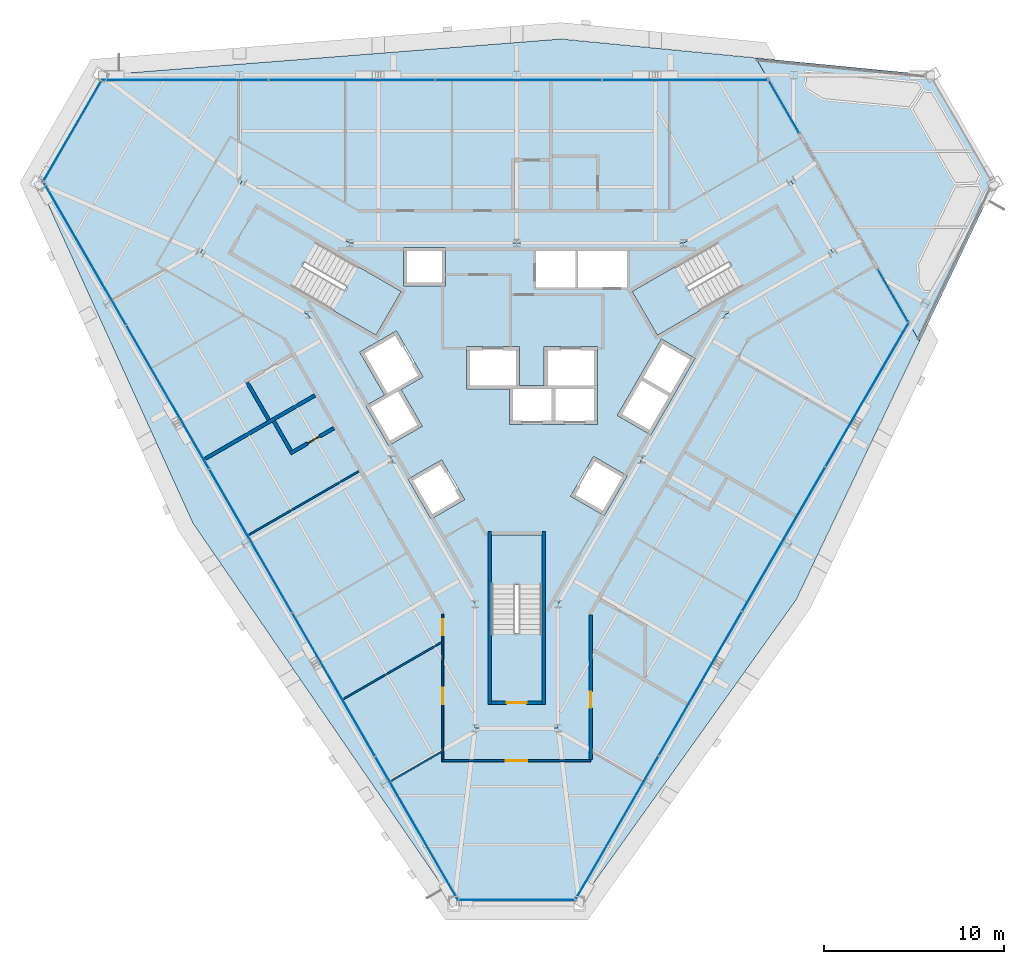
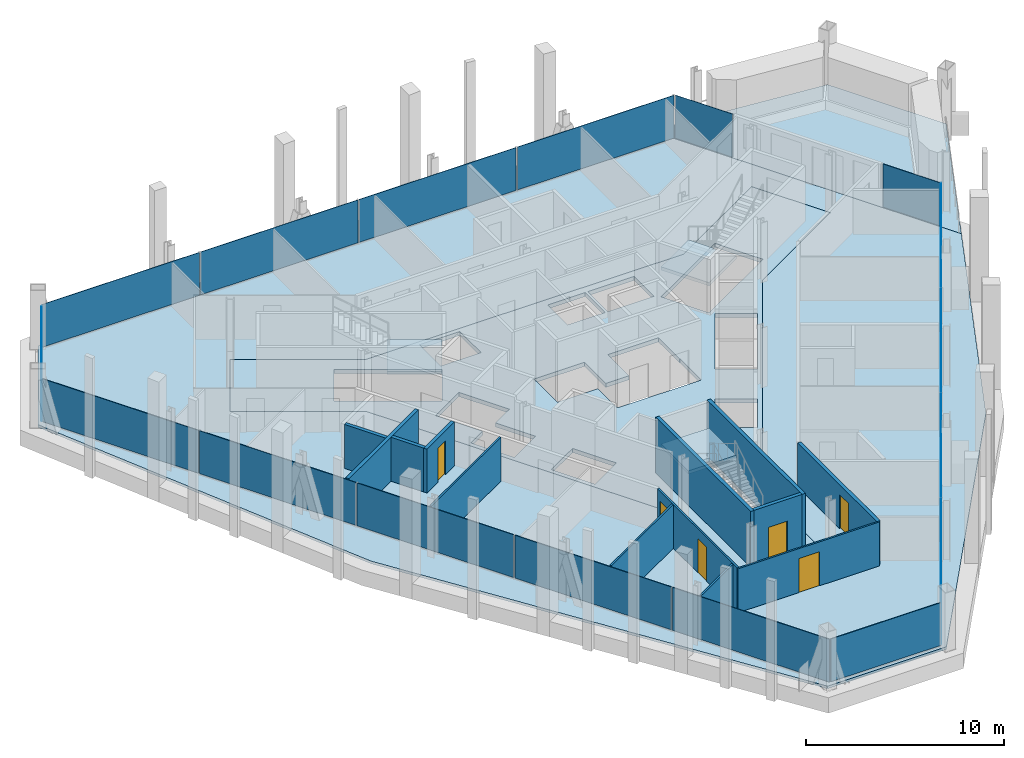
# One storey, part 7 of 13: 17 plates, 13 walls, 6 doors, 6 slabs, 6 openings, 10 elements without a shape of their own.
"""IFC4 building model written with IfcOpenShell, lengths in metres."""

from ifc_helpers import new_model, si_unit, direction, frame, frame_2d, origin, origin_2d, place, context, subcontext, project, spatial, polyline, rectangle, outline, extrude, material, layer, layer_set, type_object, element, fill, aggregate, save


model = new_model("IFC4")

# Units and contexts
model_context = context("Model", 3, precision=1e-05, world=origin(), true_north=direction((0.0, 1.0)))
body_context = subcontext(model_context, "Body", "Model", "MODEL_VIEW")
ifc_project = project(units=[si_unit("LENGTHUNIT", "METRE"), si_unit("AREAUNIT", "SQUARE_METRE"), si_unit("VOLUMEUNIT", "CUBIC_METRE"), si_unit("PLANEANGLEUNIT", "RADIAN"), si_unit("MASSUNIT", "GRAM", prefix="KILO")], contexts=[model_context])

# Site, building, storey
site_placement = place(None, origin())
site = spatial("IfcSite", under=ifc_project, at=site_placement, CompositionType="ELEMENT")
building_placement = place(site_placement, origin())
building = spatial("IfcBuilding", under=site, at=building_placement, Name="Verrane Prism Tower", CompositionType="ELEMENT")
storey_placement = place(building_placement, frame((0.0, 0.0, 171.0)))
storey = spatial("IfcBuildingStorey", under=building, at=storey_placement, Name="L42", CompositionType="ELEMENT", Elevation=171.0)

# Slabs
ifc_material_1 = material(Name="Concrete C35/45", Category="concrete")
ifc_layer_1 = layer(ifc_material_1, 0.159912109375)
ifc_layer_set_1 = layer_set([ifc_layer_1], Name="Composite floor slab")
slab_type_1 = type_object("IfcSlabType", Name="Composite floor slab", PredefinedType="FLOOR", material=ifc_layer_set_1)
slab_1_placement = place(storey_placement, frame((0.0, 0.0, -0.159912109375)))
element("IfcSlab", 1, at=slab_1_placement, inside=storey, type_object=slab_type_1, Name="Floor slab L42", PredefinedType="FLOOR", context=body_context, shape_type="SweptSolid", body=[
    extrude(outline(polyline([(15.49365234375, -11.7841796875), (3.467041015625, -28.614990234375), (-3.467041015625, -28.614990234375), (-17.9521484375, -7.52587890625), (-26.514892578125, 11.304931640625), (-23.0478515625, 17.31005859375), (2.45849609375, 19.31005859375), (13.261474609375, 18.260498046875), (22.333984375, 2.54638671875), (15.49365234375, -11.7841796875)]), holes=[polyline([(17.52001953125, 7.4599609375), (15.219970703125, 11.43994140625), (9.260009765625, 8.0), (0.0, 8.0), (-9.260009765625, 8.0), (-15.219970703125, 11.43994140625), (-17.52001953125, 7.4599609375), (-11.56005859375, 4.02001953125), (-6.929931640625, -4.0), (-2.300048828125, -12.02001953125), (-2.300048828125, -18.89990234375), (2.300048828125, -18.89990234375), (2.300048828125, -12.02001953125), (6.929931640625, -4.0), (11.56005859375, 4.02001953125), (17.52001953125, 7.4599609375)])]), origin(), (0.0, 0.0, 1.0), 0.159912109375),
])
ifc_material_2 = material(Name="Concrete C40/50", Category="concrete")
ifc_layer_2 = layer(ifc_material_2, 0.25)
ifc_layer_set_2 = layer_set([ifc_layer_2], Name="Core floor slab 250 concrete C40/50")
slab_type_2 = type_object("IfcSlabType", Name="Core floor slab 250 concrete C40/50", PredefinedType="FLOOR", material=ifc_layer_set_2)
slab_2_placement = place(storey_placement, frame((0.0, 0.0, -0.25)))
element("IfcSlab", 2, at=slab_2_placement, inside=storey, type_object=slab_type_2, Name="Core floor L42", PredefinedType="FLOOR", context=body_context, shape_type="SweptSolid", body=[
    extrude(outline(polyline([(11.56005859375, 4.02001953125), (17.52001953125, 7.4599609375), (15.219970703125, 11.43994140625), (9.260009765625, 8.0), (0.0, 8.0), (-9.260009765625, 8.0), (-15.219970703125, 11.43994140625), (-17.52001953125, 7.4599609375), (-11.56005859375, 4.02001953125), (-6.929931640625, -4.0), (-2.300048828125, -12.02001953125), (-2.300048828125, -18.89990234375), (2.300048828125, -18.89990234375), (2.300048828125, -12.02001953125), (6.929931640625, -4.0), (11.56005859375, 4.02001953125)]), holes=[polyline([(1.39990234375, -8.199951171875), (1.39990234375, -13.639892578125), (-1.39990234375, -13.639892578125), (-1.39990234375, -8.199951171875), (1.39990234375, -8.199951171875)]), polyline([(-2.881103515625, -6.22998046875), (-4.742919921875, -7.304931640625), (-6.01806640625, -5.096923828125), (-4.156005859375, -4.02197265625), (-2.881103515625, -6.22998046875)]), polyline([(-7.801025390625, 2.887939453125), (-12.512939453125, 5.60791015625), (-11.113037109375, 8.031982421875), (-6.40087890625, 5.31201171875), (-7.801025390625, 2.887939453125)]), polyline([(-6.284912109375, 5.610107421875), (-6.284912109375, 7.760009765625), (-3.93505859375, 7.760009765625), (-3.93505859375, 5.610107421875), (-6.284912109375, 5.610107421875)]), polyline([(4.26611328125, -3.8310546875), (6.1279296875, -4.906005859375), (4.85302734375, -7.114990234375), (2.990966796875, -6.0400390625), (4.26611328125, -3.8310546875)]), polyline([(7.43798828125, -2.636962890625), (5.575927734375, -1.56201171875), (8.02587890625, 2.680908203125), (9.887939453125, 1.60595703125), (7.43798828125, -2.636962890625)]), polyline([(0.1650390625, 0.10009765625), (1.52490234375, 0.10009765625), (1.52490234375, 2.25), (4.47509765625, 2.25), (4.47509765625, 0.10009765625), (4.4951171875, 0.10009765625), (4.4951171875, -2.050048828125), (-0.405029296875, -2.050048828125), (-0.405029296875, -0.10009765625), (-2.784912109375, -0.10009765625), (-2.784912109375, 2.25), (0.1650390625, 2.25), (0.1650390625, 0.10009765625)]), polyline([(6.40087890625, 5.31201171875), (11.113037109375, 8.031982421875), (12.512939453125, 5.60791015625), (7.801025390625, 2.887939453125), (6.40087890625, 5.31201171875)]), polyline([(1.074951171875, 5.534912109375), (1.074951171875, 7.56005859375), (3.264892578125, 7.56005859375), (3.264892578125, 5.534912109375), (1.074951171875, 5.534912109375)]), polyline([(3.4150390625, 7.56005859375), (6.125, 7.56005859375), (6.125, 5.534912109375), (3.4150390625, 5.534912109375), (3.4150390625, 7.56005859375)]), polyline([(-5.23095703125, -2.159912109375), (-7.093017578125, -3.235107421875), (-8.367919921875, -1.02587890625), (-7.3291015625, -0.426025390625), (-8.7041015625, 1.955078125), (-6.66796875, 3.1298828125), (-5.193115234375, 0.574951171875), (-6.406005859375, -0.125), (-5.23095703125, -2.159912109375)])]), origin(), (0.0, 0.0, 1.0), 0.25),
])
ifc_material_3 = material(Name="Concrete C35/45", Category="concrete")
ifc_layer_3 = layer(ifc_material_3, 0.159912109375)
ifc_layer_set_3 = layer_set([ifc_layer_3], Name="Garden floor slab")
slab_type_3 = type_object("IfcSlabType", Name="Garden floor slab", PredefinedType="FLOOR", material=ifc_layer_set_3)
slab_3_placement = place(storey_placement, frame((0.0, 0.0, -0.159912109375)))
element("IfcSlab", 3, at=slab_3_placement, inside=storey, type_object=slab_type_3, Name="Garden floor slab L42", PredefinedType="FLOOR", context=body_context, shape_type="SweptSolid", body=[
    extrude(outline(polyline([(13.261474609375, 18.260498046875), (22.333984375, 2.54638671875), (26.514892578125, 11.304931640625), (23.0478515625, 17.31005859375), (13.261474609375, 18.260498046875)])), origin(), (0.0, 0.0, 1.0), 0.159912109375),
])

# Curtain wall, plate
ifc_material_4 = material(Name="Aluminium framed insulated glazing", Category="aluminium")
curtain_wall_type_1 = type_object("IfcCurtainWallType", Name="Curtain wall CW-C 4200 module", PredefinedType="NOTDEFINED", material=ifc_material_4)
curtain_wall_1_placement = place(storey_placement, origin())
curtain_wall_1 = element("IfcCurtainWall", 4, at=curtain_wall_1_placement, inside=storey, type_object=curtain_wall_type_1, Name="Glazed curtain wall garden cut line L42 1", PredefinedType="NOTDEFINED")
ifc_material_5 = material(Name="Low-iron insulating glass unit", Category="glass")
ifc_layer_4 = layer(ifc_material_5, 0.02392578125)
ifc_layer_set_4 = layer_set([ifc_layer_4], Name="Glazing panel IGU 24")
plate_type_1 = type_object("IfcPlateType", Name="Glazing panel IGU 24", PredefinedType="CURTAIN_PANEL", material=ifc_layer_set_4)
plate_1_placement = place(storey_placement, frame((20.87646484375, 5.07080078125, 0.0498046875), z_axis=(0.0, 0.0, 1.0), x_axis=(-0.499998086456, 0.866026508567, 0.0)))
plate_1 = element("IfcPlate", 5, at=plate_1_placement, type_object=plate_type_1, Name="CW42.1.1 panel 1", PredefinedType="CURTAIN_PANEL", context=body_context, shape_type="SweptSolid", body=[
    extrude(rectangle(XDim=3.33349609375, YDim=0.02392578125, at=origin_2d()), origin(), (0.0, 0.0, 1.0), 2.662841796875),
])
aggregate(curtain_wall_1, [plate_1])

curtain_wall_2_placement = place(storey_placement, origin())
curtain_wall_2 = element("IfcCurtainWall", 6, at=curtain_wall_2_placement, inside=storey, type_object=curtain_wall_type_1, Name="Glazed curtain wall garden cut line L42 2", PredefinedType="NOTDEFINED")
plate_2_placement = place(storey_placement, frame((14.817138671875, 15.56591796875, 0.0498046875), z_axis=(0.0, 0.0, 1.0), x_axis=(-0.499998086456, 0.866026508567, 0.0)))
plate_2 = element("IfcPlate", 7, at=plate_2_placement, type_object=plate_type_1, Name="CW42.1.2 panel 1", PredefinedType="CURTAIN_PANEL", context=body_context, shape_type="SweptSolid", body=[
    extrude(rectangle(XDim=3.383544921875, YDim=0.02392578125, at=origin_2d()), origin(), (0.0, 0.0, 1.0), 2.662841796875),
])
aggregate(curtain_wall_2, [plate_2])

# Curtain wall, plates
ifc_material_6 = material(Name="Aluminium framed insulated glazing", Category="aluminium")
curtain_wall_type_2 = type_object("IfcCurtainWallType", Name="Curtain wall CW-A 8400 module", PredefinedType="NOTDEFINED", material=ifc_material_6)
curtain_wall_3_placement = place(storey_placement, origin())
curtain_wall_3 = element("IfcCurtainWall", 8, at=curtain_wall_3_placement, inside=storey, type_object=curtain_wall_type_2, Name="Glazed curtain wall north face L42", PredefinedType="NOTDEFINED")
ifc_material_7 = material(Name="Low-iron insulating glass unit", Category="glass")
ifc_layer_5 = layer(ifc_material_7, 0.031982421875)
ifc_layer_set_5 = layer_set([ifc_layer_5], Name="Glazing panel IGU 32")
plate_type_2 = type_object("IfcPlateType", Name="Glazing panel IGU 32", PredefinedType="CURTAIN_PANEL", material=ifc_layer_set_5)
plate_3_placement = place(storey_placement, frame((9.331787109375, 17.031005859375, 0.06982421875), z_axis=(0.0, 0.0, 1.0), x_axis=(-1.0, 0.0, 0.0)))
plate_3 = element("IfcPlate", 9, at=plate_3_placement, type_object=plate_type_2, Name="CW42.2 panel 1", PredefinedType="CURTAIN_PANEL", context=body_context, shape_type="SweptSolid", body=[
    extrude(rectangle(XDim=9.138916015625, YDim=0.031982421875, at=origin_2d()), origin(), (0.0, 0.0, 1.0), 2.642822265625),
])
plate_4_placement = place(storey_placement, frame((0.10546875, 17.031005859375, 0.06982421875), z_axis=(0.0, 0.0, 1.0), x_axis=(-1.0, 0.0, 0.0)))
plate_4 = element("IfcPlate", 10, at=plate_4_placement, type_object=plate_type_2, Name="CW42.2 panel 2", PredefinedType="CURTAIN_PANEL", context=body_context, shape_type="SweptSolid", body=[
    extrude(rectangle(XDim=9.173828125, YDim=0.031982421875, at=origin_2d()), origin(), (0.0, 0.0, 1.0), 2.642822265625),
])
plate_5_placement = place(storey_placement, frame((-9.13818359375, 17.031005859375, 0.06982421875), z_axis=(0.0, 0.0, 1.0), x_axis=(-1.0, 0.0, 0.0)))
plate_5 = element("IfcPlate", 11, at=plate_5_placement, type_object=plate_type_2, Name="CW42.2 panel 3", PredefinedType="CURTAIN_PANEL", context=body_context, shape_type="SweptSolid", body=[
    extrude(rectangle(XDim=9.173828125, YDim=0.031982421875, at=origin_2d()), origin(), (0.0, 0.0, 1.0), 2.642822265625),
])
plate_6_placement = place(storey_placement, frame((-18.399658203125, 17.031005859375, 0.06982421875), z_axis=(0.0, 0.0, 1.0), x_axis=(-1.0, 0.0, 0.0)))
plate_6 = element("IfcPlate", 12, at=plate_6_placement, type_object=plate_type_2, Name="CW42.2 panel 4", PredefinedType="CURTAIN_PANEL", context=body_context, shape_type="SweptSolid", body=[
    extrude(rectangle(XDim=9.208740234375, YDim=0.031982421875, at=origin_2d()), origin(), (0.0, 0.0, 1.0), 2.642822265625),
])
aggregate(curtain_wall_3, [plate_3, plate_4, plate_5, plate_6])

# Curtain wall, plate
curtain_wall_4_placement = place(storey_placement, origin())
curtain_wall_4 = element("IfcCurtainWall", 13, at=curtain_wall_4_placement, inside=storey, type_object=curtain_wall_type_2, Name="Glazed curtain wall north-west corner L42", PredefinedType="NOTDEFINED")
plate_7_placement = place(storey_placement, frame((-24.645263671875, 14.1884765625, 0.06982421875), z_axis=(0.0, 0.0, 1.0), x_axis=(-0.50000590643, -0.866021993679, 0.0)))
plate_7 = element("IfcPlate", 14, at=plate_7_placement, type_object=plate_type_2, Name="CW42.3 panel 1", PredefinedType="CURTAIN_PANEL", context=body_context, shape_type="SweptSolid", body=[
    extrude(rectangle(XDim=6.424560546875, YDim=0.031982421875, at=origin_2d()), origin(), (0.0, 0.0, 1.0), 2.642822265625),
])
aggregate(curtain_wall_4, [plate_7])

# Curtain wall, plates
curtain_wall_5_placement = place(storey_placement, origin())
curtain_wall_5 = element("IfcCurtainWall", 15, at=curtain_wall_5_placement, inside=storey, type_object=curtain_wall_type_2, Name="Glazed curtain wall south-west face L42", PredefinedType="NOTDEFINED")
plate_8_placement = place(storey_placement, frame((-23.942138671875, 7.406982421875, 0.06982421875), z_axis=(0.0, 0.0, 1.0), x_axis=(0.499999028499, -0.86602596468, 0.0)))
plate_8 = element("IfcPlate", 16, at=plate_8_placement, type_object=plate_type_2, Name="CW42.4 panel 1", PredefinedType="CURTAIN_PANEL", context=body_context, shape_type="SweptSolid", body=[
    extrude(rectangle(XDim=9.0966796875, YDim=0.031982421875, at=origin_2d()), origin(), (0.0, 0.0, 1.0), 2.642822265625),
])
plate_9_placement = place(storey_placement, frame((-19.35009765625, -0.546630859375, 0.06982421875), z_axis=(0.0, 0.0, 1.0), x_axis=(0.499999028499, -0.86602596468, 0.0)))
plate_9 = element("IfcPlate", 17, at=plate_9_placement, type_object=plate_type_2, Name="CW42.4 panel 2", PredefinedType="CURTAIN_PANEL", context=body_context, shape_type="SweptSolid", body=[
    extrude(rectangle(XDim=9.131591796875, YDim=0.031982421875, at=origin_2d()), origin(), (0.0, 0.0, 1.0), 2.642822265625),
])
plate_10_placement = place(storey_placement, frame((-14.749267578125, -8.515380859375, 0.06982421875), z_axis=(0.0, 0.0, 1.0), x_axis=(0.499999028499, -0.86602596468, 0.0)))
plate_10 = element("IfcPlate", 18, at=plate_10_placement, type_object=plate_type_2, Name="CW42.4 panel 3", PredefinedType="CURTAIN_PANEL", context=body_context, shape_type="SweptSolid", body=[
    extrude(rectangle(XDim=9.131591796875, YDim=0.031982421875, at=origin_2d()), origin(), (0.0, 0.0, 1.0), 2.642822265625),
])
plate_11_placement = place(storey_placement, frame((-10.1484375, -16.484375, 0.06982421875), z_axis=(0.0, 0.0, 1.0), x_axis=(0.499999028499, -0.86602596468, 0.0)))
plate_11 = element("IfcPlate", 19, at=plate_11_placement, type_object=plate_type_2, Name="CW42.4 panel 4", PredefinedType="CURTAIN_PANEL", context=body_context, shape_type="SweptSolid", body=[
    extrude(rectangle(XDim=9.131591796875, YDim=0.031982421875, at=origin_2d()), origin(), (0.0, 0.0, 1.0), 2.642822265625),
])
plate_12_placement = place(storey_placement, frame((-5.5390625, -24.46826171875, 0.06982421875), z_axis=(0.0, 0.0, 1.0), x_axis=(0.499999028499, -0.86602596468, 0.0)))
plate_12 = element("IfcPlate", 20, at=plate_12_placement, type_object=plate_type_2, Name="CW42.4 panel 5", PredefinedType="CURTAIN_PANEL", context=body_context, shape_type="SweptSolid", body=[
    extrude(rectangle(XDim=9.16650390625, YDim=0.031982421875, at=origin_2d()), origin(), (0.0, 0.0, 1.0), 2.642822265625),
])
aggregate(curtain_wall_5, [plate_8, plate_9, plate_10, plate_11, plate_12])

# Curtain wall, plate
curtain_wall_6_placement = place(storey_placement, origin())
curtain_wall_6 = element("IfcCurtainWall", 21, at=curtain_wall_6_placement, inside=storey, type_object=curtain_wall_type_2, Name="Glazed curtain wall south corner L42", PredefinedType="NOTDEFINED")
plate_13_placement = place(storey_placement, frame((0.034912109375, -28.4375, 0.06982421875), z_axis=(0.0, 0.0, 1.0), x_axis=(1.0, 0.0, 0.0)))
plate_13 = element("IfcPlate", 22, at=plate_13_placement, type_object=plate_type_2, Name="CW42.5 panel 1", PredefinedType="CURTAIN_PANEL", context=body_context, shape_type="SweptSolid", body=[
    extrude(rectangle(XDim=6.424560546875, YDim=0.031982421875, at=origin_2d()), origin(), (0.0, 0.0, 1.0), 2.642822265625),
])
aggregate(curtain_wall_6, [plate_13])

# Curtain wall, plates
curtain_wall_7_placement = place(storey_placement, origin())
curtain_wall_7 = element("IfcCurtainWall", 23, at=curtain_wall_7_placement, inside=storey, type_object=curtain_wall_type_2, Name="Glazed curtain wall south-east face L42", PredefinedType="NOTDEFINED")
plate_14_placement = place(storey_placement, frame((5.56689453125, -24.419677734375, 0.06982421875), z_axis=(0.0, 0.0, 1.0), x_axis=(0.499998389874, 0.866026333389, 0.0)))
plate_14 = element("IfcPlate", 24, at=plate_14_placement, type_object=plate_type_2, Name="CW42.6 panel 1", PredefinedType="CURTAIN_PANEL", context=body_context, shape_type="SweptSolid", body=[
    extrude(rectangle(XDim=9.138916015625, YDim=0.031982421875, at=origin_2d()), origin(), (0.0, 0.0, 1.0), 2.642822265625),
])
plate_15_placement = place(storey_placement, frame((10.18017578125, -16.429443359375, 0.06982421875), z_axis=(0.0, 0.0, 1.0), x_axis=(0.499998389874, 0.866026333389, 0.0)))
plate_15 = element("IfcPlate", 25, at=plate_15_placement, type_object=plate_type_2, Name="CW42.6 panel 2", PredefinedType="CURTAIN_PANEL", context=body_context, shape_type="SweptSolid", body=[
    extrude(rectangle(XDim=9.173828125, YDim=0.031982421875, at=origin_2d()), origin(), (0.0, 0.0, 1.0), 2.642822265625),
])
plate_16_placement = place(storey_placement, frame((14.802001953125, -8.424072265625, 0.06982421875), z_axis=(0.0, 0.0, 1.0), x_axis=(0.499998389874, 0.866026333389, 0.0)))
plate_16 = element("IfcPlate", 26, at=plate_16_placement, type_object=plate_type_2, Name="CW42.6 panel 3", PredefinedType="CURTAIN_PANEL", context=body_context, shape_type="SweptSolid", body=[
    extrude(rectangle(XDim=9.173828125, YDim=0.031982421875, at=origin_2d()), origin(), (0.0, 0.0, 1.0), 2.642822265625),
])
plate_17_placement = place(storey_placement, frame((19.4326171875, -0.403564453125, 0.06982421875), z_axis=(0.0, 0.0, 1.0), x_axis=(0.499998389874, 0.866026333389, 0.0)))
plate_17 = element("IfcPlate", 27, at=plate_17_placement, type_object=plate_type_2, Name="CW42.6 panel 4", PredefinedType="CURTAIN_PANEL", context=body_context, shape_type="SweptSolid", body=[
    extrude(rectangle(XDim=9.208740234375, YDim=0.031982421875, at=origin_2d()), origin(), (0.0, 0.0, 1.0), 2.642822265625),
])
aggregate(curtain_wall_7, [plate_14, plate_15, plate_16, plate_17])

# Stair, slab
ifc_material_8 = material(Name="Concrete C40/50", Category="concrete")
stair_type = type_object("IfcStairType", Name="Exit stair 1300 dog-leg precast concrete C40/50", PredefinedType="HALF_TURN_STAIR", material=ifc_material_8)
stair_1_placement = place(storey_placement, origin())
stair_1 = element("IfcStair", 28, at=stair_1_placement, inside=storey, type_object=stair_type, Name="Stair 1 L42", PredefinedType="HALF_TURN_STAIR")
ifc_material_9 = material(Name="Concrete C40/50", Category="concrete")
ifc_layer_6 = layer(ifc_material_9, 0.199951171875)
ifc_layer_set_6 = layer_set([ifc_layer_6], Name="Stair landing 200 precast concrete C40/50")
slab_type_4 = type_object("IfcSlabType", Name="Stair landing 200 precast concrete C40/50", PredefinedType="LANDING", material=ifc_layer_set_6)
slab_4_placement = place(storey_placement, frame((0.0, 0.0, 1.64990234375)))
slab_4 = element("IfcSlab", 29, at=slab_4_placement, type_object=slab_type_4, Name="Stair 1 landing 1", PredefinedType="LANDING", context=body_context, shape_type="SweptSolid", body=[
    extrude(outline(polyline([(8.791748046875, 6.6923828125), (6.4013671875, 5.3125), (7.801513671875, 2.887451171875), (10.191650390625, 4.267578125), (8.791748046875, 6.6923828125)])), origin(), (0.0, 0.0, 1.0), 0.2001953125),
])
aggregate(stair_1, [slab_4])

stair_2_placement = place(storey_placement, origin())
stair_2 = element("IfcStair", 30, at=stair_2_placement, inside=storey, type_object=stair_type, Name="Stair 2 L42", PredefinedType="HALF_TURN_STAIR")
slab_5_placement = place(storey_placement, frame((0.0, 0.0, 1.64990234375)))
slab_5 = element("IfcSlab", 31, at=slab_5_placement, type_object=slab_type_4, Name="Stair 2 landing 1", PredefinedType="LANDING", context=body_context, shape_type="SweptSolid", body=[
    extrude(outline(polyline([(-10.191650390625, 4.267578125), (-7.801513671875, 2.887451171875), (-6.4013671875, 5.3125), (-8.791748046875, 6.6923828125), (-10.191650390625, 4.267578125)])), origin(), (0.0, 0.0, 1.0), 0.2001953125),
])
aggregate(stair_2, [slab_5])

stair_3_placement = place(storey_placement, origin())
stair_3 = element("IfcStair", 32, at=stair_3_placement, inside=storey, type_object=stair_type, Name="Stair 3 L42", PredefinedType="HALF_TURN_STAIR")
slab_6_placement = place(storey_placement, frame((0.0, 0.0, 1.64990234375)))
slab_6 = element("IfcSlab", 33, at=slab_6_placement, type_object=slab_type_4, Name="Stair 3 landing 1", PredefinedType="LANDING", context=body_context, shape_type="SweptSolid", body=[
    extrude(outline(polyline([(1.39990234375, -10.9599609375), (1.39990234375, -8.199951171875), (-1.39990234375, -8.199951171875), (-1.39990234375, -10.9599609375), (1.39990234375, -10.9599609375)])), origin(), (0.0, 0.0, 1.0), 0.2001953125),
])
aggregate(stair_3, [slab_6])

# Wall, opening, door
ifc_material_10 = material(Name="Concrete C40/50", Category="concrete")
ifc_layer_7 = layer(ifc_material_10, 0.199951171875)
ifc_layer_set_7 = layer_set([ifc_layer_7], Name="CW-200 stair core wall concrete C40/50 3 h")
wall_type_1 = type_object("IfcWallType", Name="CW-200 stair core wall concrete C40/50 3 h", PredefinedType="PARTITIONING", material=ifc_layer_set_7)
wall_1_placement = place(storey_placement, frame((-1.39990234375, -17.5, 0.0), z_axis=(0.0, 0.0, 1.0), x_axis=(1.0, 0.0, 0.0)))
wall_1 = element("IfcWall", 34, at=wall_1_placement, inside=storey, type_object=wall_type_1, Name="Stair 3 enclosure wall", PredefinedType="PARTITIONING", context=body_context, shape_type="SweptSolid", body=[
    extrude(rectangle(XDim=2.7998046875, YDim=0.199951171875, at=frame_2d((1.39990234375, 0.0))), origin(), (0.0, 0.0, 1.0), 3.449951171875),
])
opening_1_placement = place(wall_1_placement, frame((0.85009765625, 0.0, 0.0)))
opening_1 = element("IfcOpeningElement", 35, at=opening_1_placement, cuts=wall_1, Name="Opening D42502", PredefinedType="OPENING", context=body_context, shape_type="SweptSolid", body=[
    extrude(rectangle(XDim=1.10009765625, YDim=2.10009765625, at=frame_2d((0.550048828125, 1.050048828125))), frame((0.0, 0.10986328125, 0.0), z_axis=(0.0, -1.0, 0.0), x_axis=(1.0, 0.0, 0.0)), (0.0, 0.0, 1.0), 0.219970703125),
])
ifc_material_11 = material(Name="Timber veneered door leaf", Category="wood")
door_type_1 = type_object("IfcDoorType", Name="DR-1100x2100 FD90 single leaf stair", OperationType="NOTDEFINED", PredefinedType="DOOR", material=ifc_material_11)
door_1_placement = place(opening_1_placement, origin())
door_1 = element("IfcDoor", 36, at=door_1_placement, inside=storey, type_object=door_type_1, Name="Stair 3 door", OperationType="SINGLE_SWING_LEFT", OverallHeight=2.10009765625, OverallWidth=1.10009765625, PredefinedType="DOOR", context=body_context, shape_type="SweptSolid", body=[
    extrude(rectangle(XDim=1.10009765625, YDim=2.10009765625, at=frame_2d((0.550048828125, 1.050048828125))), frame((0.0, 0.02490234375, 0.0), z_axis=(0.0, -1.0, 0.0), x_axis=(1.0, 0.0, 0.0)), (0.0, 0.0, 1.0), 0.050048828125),
])
fill(opening_1, door_1)

# Walls
for number, where, z_axis, x_axis, name in (
    (37, (1.5, -8.0, 0.0), (0.0, 0.0, 1.0), (0.0, -1.0, 0.0), "Stair 3 enclosure wall"),
    (38, (-1.5, -8.0, 0.0), (0.0, 0.0, 1.0), (0.0, -1.0, 0.0), "Stair 3 enclosure wall"),
):
    element("IfcWall", number, at=place(storey_placement, frame(where, z_axis=z_axis, x_axis=x_axis)), inside=storey, type_object=wall_type_1, Name=name, PredefinedType="PARTITIONING", context=body_context, shape_type="SweptSolid", body=[
        extrude(rectangle(XDim=9.60009765625, YDim=0.199951171875, at=frame_2d((4.800048828125, 0.0))), origin(), (0.0, 0.0, 1.0), 3.449951171875),
    ])
ifc_material_12 = material(Name="Gypsum board partition", Category="other")
ifc_layer_8 = layer(ifc_material_12, 0.10009765625)
ifc_layer_set_8 = layer_set([ifc_layer_8], Name="PW-100 room partition")
wall_type_2 = type_object("IfcWallType", Name="PW-100 room partition", PredefinedType="PARTITIONING", material=ifc_layer_set_8)
wall_2_placement = place(storey_placement, frame((-14.83642578125, -8.1728515625, 0.0), z_axis=(0.0, 0.0, 1.0), x_axis=(0.866006381746, 0.500032945689, 0.0)))
element("IfcWall", 39, at=wall_2_placement, inside=storey, type_object=wall_type_2, Name="Room partition 010", PredefinedType="PARTITIONING", context=body_context, shape_type="SweptSolid", body=[
    extrude(rectangle(XDim=7.033203125, YDim=0.10009765625, at=frame_2d((3.5166015625, 0.0))), origin(), (0.0, 0.0, 1.0), 2.712890625),
])
wall_3_placement = place(storey_placement, frame((-9.583740234375, -17.27099609375, 0.0), z_axis=(0.0, 0.0, 1.0), x_axis=(0.866018935351, 0.500011203488, 0.0)))
element("IfcWall", 40, at=wall_3_placement, inside=storey, type_object=wall_type_2, Name="Room partition 015", PredefinedType="PARTITIONING", context=body_context, shape_type="SweptSolid", body=[
    extrude(rectangle(XDim=6.245361328125, YDim=0.10009765625, at=frame_2d((3.12255859375, 0.0))), origin(), (0.0, 0.0, 1.0), 2.712890625),
])
wall_4_placement = place(storey_placement, frame((-6.95751953125, -21.81982421875, 0.0), z_axis=(0.0, 0.0, 1.0), x_axis=(0.86602741148, 0.499996522553, 0.0)))
element("IfcWall", 41, at=wall_4_placement, inside=storey, type_object=wall_type_2, Name="Room partition 018", PredefinedType="PARTITIONING", context=body_context, shape_type="SweptSolid", body=[
    extrude(rectangle(XDim=3.212890625, YDim=0.10009765625, at=frame_2d((1.6064453125, 0.0))), origin(), (0.0, 0.0, 1.0), 2.712890625),
])

# Wall, openings, doors
wall_5_placement = place(storey_placement, frame((-4.10009765625, -20.64990234375, 0.0), z_axis=(0.0, 0.0, 1.0), x_axis=(0.0, 1.0, 0.0)))
wall_5 = element("IfcWall", 42, at=wall_5_placement, inside=storey, type_object=wall_type_2, Name="Room partition 019", PredefinedType="PARTITIONING", context=body_context, shape_type="SweptSolid", body=[
    extrude(rectangle(XDim=8.06298828125, YDim=0.10009765625, at=frame_2d((4.031494140625, 0.0))), origin(), (0.0, 0.0, 1.0), 2.712890625),
])
opening_2_placement = place(wall_5_placement, frame((6.89501953125, 0.0, 0.0)))
opening_2 = element("IfcOpeningElement", 43, at=opening_2_placement, cuts=wall_5, Name="Opening D42016", PredefinedType="OPENING", context=body_context, shape_type="SweptSolid", body=[
    extrude(rectangle(XDim=0.89990234375, YDim=2.10009765625, at=frame_2d((0.449951171875, 1.050048828125))), frame((0.0, 0.06005859375, 0.0), z_axis=(0.0, -1.0, 0.0), x_axis=(1.0, 0.0, 0.0)), (0.0, 0.0, 1.0), 0.1201171875),
])
opening_3_placement = place(wall_5_placement, frame((3.080078125, 0.0, 0.0)))
opening_3 = element("IfcOpeningElement", 44, at=opening_3_placement, cuts=wall_5, Name="Opening D42017", PredefinedType="OPENING", context=body_context, shape_type="SweptSolid", body=[
    extrude(rectangle(XDim=0.89990234375, YDim=2.10009765625, at=frame_2d((0.449951171875, 1.050048828125))), frame((0.0, 0.06005859375, 0.0), z_axis=(0.0, -1.0, 0.0), x_axis=(1.0, 0.0, 0.0)), (0.0, 0.0, 1.0), 0.1201171875),
])
ifc_material_13 = material(Name="Timber veneered door leaf", Category="wood")
door_type_2 = type_object("IfcDoorType", Name="DR-900x2100 single leaf unit", OperationType="NOTDEFINED", PredefinedType="DOOR", material=ifc_material_13)
door_2_placement = place(opening_2_placement, origin())
door_2 = element("IfcDoor", 45, at=door_2_placement, inside=storey, type_object=door_type_2, Name="Study door", OperationType="SINGLE_SWING_RIGHT", OverallHeight=2.10009765625, OverallWidth=0.89990234375, PredefinedType="DOOR", context=body_context, shape_type="SweptSolid", body=[
    extrude(rectangle(XDim=0.89990234375, YDim=2.10009765625, at=frame_2d((0.449951171875, 1.050048828125))), frame((0.0, 0.02490234375, 0.0), z_axis=(0.0, -1.0, 0.0), x_axis=(1.0, 0.0, 0.0)), (0.0, 0.0, 1.0), 0.050048828125),
])
fill(opening_2, door_2)
door_3_placement = place(opening_3_placement, origin())
door_3 = element("IfcDoor", 46, at=door_3_placement, inside=storey, type_object=door_type_2, Name="Study door", OperationType="SINGLE_SWING_LEFT", OverallHeight=2.10009765625, OverallWidth=0.89990234375, PredefinedType="DOOR", context=body_context, shape_type="SweptSolid", body=[
    extrude(rectangle(XDim=0.89990234375, YDim=2.10009765625, at=frame_2d((0.449951171875, 1.050048828125))), frame((0.0, 0.02490234375, 0.0), z_axis=(0.0, -1.0, 0.0), x_axis=(1.0, 0.0, 0.0)), (0.0, 0.0, 1.0), 0.050048828125),
])
fill(opening_3, door_3)

# Wall, opening, door
wall_6_placement = place(storey_placement, frame((4.10009765625, -20.699951171875, 0.0), z_axis=(0.0, 0.0, 1.0), x_axis=(-1.0, 0.0, 0.0)))
wall_6 = element("IfcWall", 47, at=wall_6_placement, inside=storey, type_object=wall_type_2, Name="Room partition 020", PredefinedType="PARTITIONING", context=body_context, shape_type="SweptSolid", body=[
    extrude(rectangle(XDim=8.25, YDim=0.10009765625, at=frame_2d((4.125, 0.0))), origin(), (0.0, 0.0, 1.0), 2.712890625),
])
opening_4_placement = place(wall_6_placement, frame((3.5, 0.0, 0.0)))
opening_4 = element("IfcOpeningElement", 48, at=opening_4_placement, cuts=wall_6, Name="Opening D42018", PredefinedType="OPENING", context=body_context, shape_type="SweptSolid", body=[
    extrude(rectangle(XDim=1.199951171875, YDim=2.10009765625, at=frame_2d((0.60009765625, 1.050048828125))), frame((0.0, 0.06005859375, 0.0), z_axis=(0.0, -1.0, 0.0), x_axis=(1.0, 0.0, 0.0)), (0.0, 0.0, 1.0), 0.1201171875),
])
ifc_material_14 = material(Name="Timber veneered door leaf", Category="wood")
door_type_3 = type_object("IfcDoorType", Name="DR-1200x2100 single leaf unit", OperationType="NOTDEFINED", PredefinedType="DOOR", material=ifc_material_14)
door_4_placement = place(opening_4_placement, origin())
door_4 = element("IfcDoor", 49, at=door_4_placement, inside=storey, type_object=door_type_3, Name="Living And Dining Room door", OperationType="SINGLE_SWING_LEFT", OverallHeight=2.10009765625, OverallWidth=1.199951171875, PredefinedType="DOOR", context=body_context, shape_type="SweptSolid", body=[
    extrude(rectangle(XDim=1.199951171875, YDim=2.10009765625, at=frame_2d((0.60009765625, 1.050048828125))), frame((0.0, 0.02490234375, 0.0), z_axis=(0.0, -1.0, 0.0), x_axis=(1.0, 0.0, 0.0)), (0.0, 0.0, 1.0), 0.050048828125),
])
fill(opening_4, door_4)

# Walls
ifc_material_15 = material(Name="Gypsum board partition", Category="other")
ifc_layer_9 = layer(ifc_material_15, 0.199951171875)
ifc_layer_set_9 = layer_set([ifc_layer_9], Name="PW-200 plumbing wall")
wall_type_3 = type_object("IfcWallType", Name="PW-200 plumbing wall", PredefinedType="PARTITIONING", material=ifc_layer_set_9)
wall_7_placement = place(storey_placement, frame((-17.267822265625, -3.961181640625, 0.0), z_axis=(0.0, 0.0, 1.0), x_axis=(0.866002795668, 0.500039156363, 0.0)))
element("IfcWall", 50, at=wall_7_placement, inside=storey, type_object=wall_type_3, Name="Plumbing wall 005", PredefinedType="PARTITIONING", context=body_context, shape_type="SweptSolid", body=[
    extrude(rectangle(XDim=7.02880859375, YDim=0.199951171875, at=frame_2d((3.514404296875, 0.0))), origin(), (0.0, 0.0, 1.0), 2.712890625),
])
wall_8_placement = place(storey_placement, frame((-14.93798828125, 0.271484375, 0.0), z_axis=(0.0, 0.0, 1.0), x_axis=(0.499913221443, -0.866075499611, 0.0)))
element("IfcWall", 51, at=wall_8_placement, inside=storey, type_object=wall_type_3, Name="Plumbing wall 008", PredefinedType="PARTITIONING", context=body_context, shape_type="SweptSolid", body=[
    extrude(rectangle(XDim=2.400390625, YDim=0.199951171875, at=frame_2d((1.2001953125, 0.0))), origin(), (0.0, 0.0, 1.0), 2.712890625),
])
wall_9_placement = place(storey_placement, frame((-13.46240234375, -1.885009765625, 0.0), z_axis=(0.0, 0.0, 1.0), x_axis=(0.499949193323, -0.866054735046, 0.0)))
element("IfcWall", 52, at=wall_9_placement, inside=storey, type_object=wall_type_3, Name="Plumbing wall 011", PredefinedType="PARTITIONING", context=body_context, shape_type="SweptSolid", body=[
    extrude(rectangle(XDim=1.895263671875, YDim=0.199951171875, at=frame_2d((0.94775390625, 0.0))), origin(), (0.0, 0.0, 1.0), 2.712890625),
])

# Wall, opening, door
wall_10_placement = place(storey_placement, frame((-12.551513671875, -3.6630859375, 0.0), z_axis=(0.0, 0.0, 1.0), x_axis=(0.866003766563, 0.500037474894, 0.0)))
wall_10 = element("IfcWall", 53, at=wall_10_placement, inside=storey, type_object=wall_type_3, Name="Plumbing wall 013", PredefinedType="PARTITIONING", context=body_context, shape_type="SweptSolid", body=[
    extrude(rectangle(XDim=2.795166015625, YDim=0.199951171875, at=frame_2d((1.3974609375, 0.0))), origin(), (0.0, 0.0, 1.0), 2.712890625),
])
opening_5_placement = place(wall_10_placement, frame((1.10009765625, 0.0, 0.0)))
opening_5 = element("IfcOpeningElement", 54, at=opening_5_placement, cuts=wall_10, Name="Opening D42014", PredefinedType="OPENING", context=body_context, shape_type="SweptSolid", body=[
    extrude(rectangle(XDim=0.800048828125, YDim=2.10009765625, at=frame_2d((0.39990234375, 1.050048828125))), frame((0.0, 0.10986328125, 0.0), z_axis=(0.0, -1.0, 0.0), x_axis=(1.0, 0.0, 0.0)), (0.0, 0.0, 1.0), 0.219970703125),
])
ifc_material_16 = material(Name="Timber veneered door leaf", Category="wood")
door_type_4 = type_object("IfcDoorType", Name="DR-800x2100 single leaf bath", OperationType="NOTDEFINED", PredefinedType="DOOR", material=ifc_material_16)
door_5_placement = place(opening_5_placement, origin())
door_5 = element("IfcDoor", 55, at=door_5_placement, inside=storey, type_object=door_type_4, Name="Bathroom door", OperationType="SINGLE_SWING_RIGHT", OverallHeight=2.10009765625, OverallWidth=0.800048828125, PredefinedType="DOOR", context=body_context, shape_type="SweptSolid", body=[
    extrude(rectangle(XDim=0.800048828125, YDim=2.10009765625, at=frame_2d((0.39990234375, 1.050048828125))), frame((0.0, 0.02490234375, 0.0), z_axis=(0.0, -1.0, 0.0), x_axis=(1.0, 0.0, 0.0)), (0.0, 0.0, 1.0), 0.050048828125),
])
fill(opening_5, door_5)

wall_11_placement = place(storey_placement, frame((4.10009765625, -12.636962890625, 0.0), z_axis=(0.0, 0.0, 1.0), x_axis=(0.0, -1.0, 0.0)))
wall_11 = element("IfcWall", 56, at=wall_11_placement, inside=storey, type_object=wall_type_3, Name="Plumbing wall 026", PredefinedType="PARTITIONING", context=body_context, shape_type="SweptSolid", body=[
    extrude(rectangle(XDim=8.012939453125, YDim=0.199951171875, at=frame_2d((4.00634765625, 0.0))), origin(), (0.0, 0.0, 1.0), 2.712890625),
])
opening_6_placement = place(wall_11_placement, frame((4.23291015625, 0.0, 0.0)))
opening_6 = element("IfcOpeningElement", 57, at=opening_6_placement, cuts=wall_11, Name="Opening D42019", PredefinedType="OPENING", context=body_context, shape_type="SweptSolid", body=[
    extrude(rectangle(XDim=0.89990234375, YDim=2.10009765625, at=frame_2d((0.449951171875, 1.050048828125))), frame((0.0, 0.10986328125, 0.0), z_axis=(0.0, -1.0, 0.0), x_axis=(1.0, 0.0, 0.0)), (0.0, 0.0, 1.0), 0.219970703125),
])
door_6_placement = place(opening_6_placement, origin())
door_6 = element("IfcDoor", 58, at=door_6_placement, inside=storey, type_object=door_type_2, Name="Kitchen door", OperationType="SINGLE_SWING_RIGHT", OverallHeight=2.10009765625, OverallWidth=0.89990234375, PredefinedType="DOOR", context=body_context, shape_type="SweptSolid", body=[
    extrude(rectangle(XDim=0.89990234375, YDim=2.10009765625, at=frame_2d((0.449951171875, 1.050048828125))), frame((0.0, 0.02490234375, 0.0), z_axis=(0.0, -1.0, 0.0), x_axis=(1.0, 0.0, 0.0)), (0.0, 0.0, 1.0), 0.050048828125),
])
fill(opening_6, door_6)

save(model, "model.ifc")
